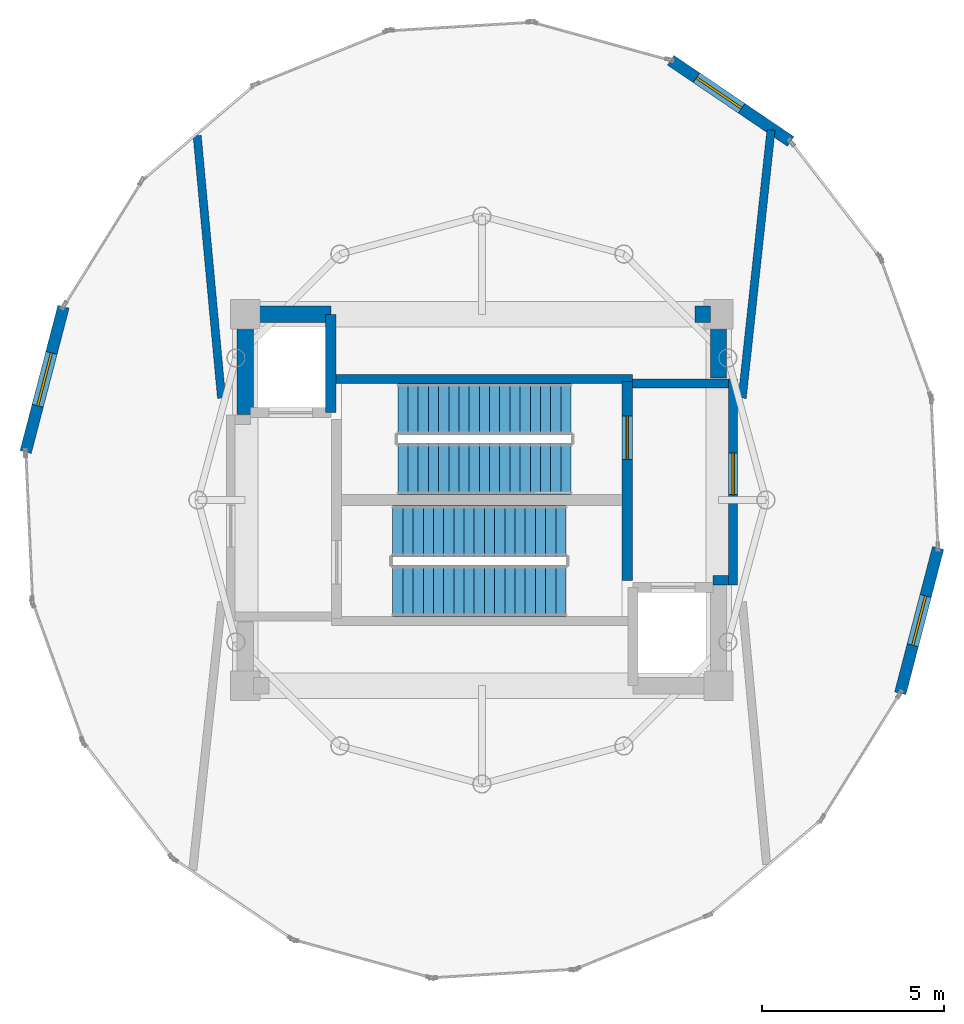
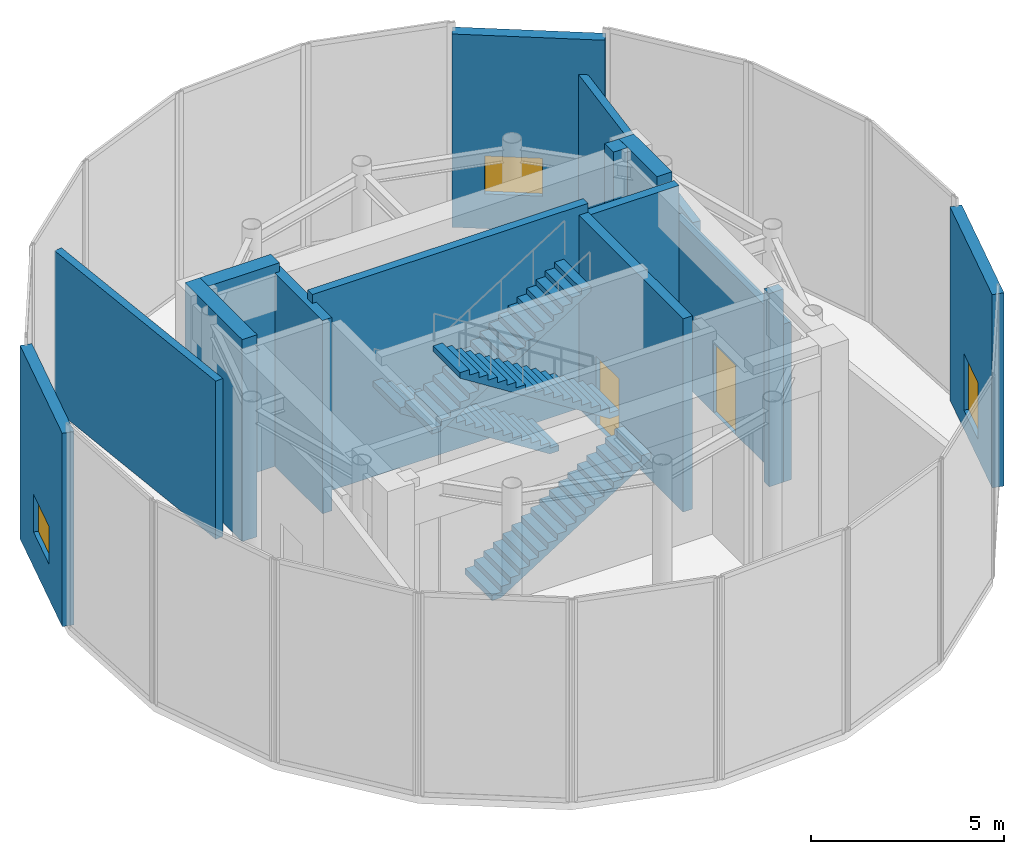
# One storey, part 9 of 10: 15 walls, 4 stair flights, 3 windows, 2 doors, 5 openings, 2 elements without a shape of their own.
"""IFC4 building model written with IfcOpenShell, lengths in metres."""

from ifc_helpers import new_model, si_unit, direction, frame, frame_2d, origin, place, context, subcontext, project, spatial, polyline, rectangle, outline, extrude, material, layer, layer_set, type_object, element, fill, aggregate, save


model = new_model("IFC4")

# Units and contexts
model_context = context("Model", 3, precision=1e-05, world=origin(), true_north=direction((0.0, 1.0)))
body_context = subcontext(model_context, "Body", "Model", "MODEL_VIEW")
ifc_project = project(units=[si_unit("LENGTHUNIT", "METRE"), si_unit("AREAUNIT", "SQUARE_METRE"), si_unit("VOLUMEUNIT", "CUBIC_METRE"), si_unit("PLANEANGLEUNIT", "RADIAN"), si_unit("MASSUNIT", "GRAM", prefix="KILO")], contexts=[model_context])

# Site, building, storey
site_placement = place(None, origin())
site = spatial("IfcSite", under=ifc_project, at=site_placement, CompositionType="ELEMENT")
building_placement = place(site_placement, origin())
building = spatial("IfcBuilding", under=site, at=building_placement, Name="Solvirekh Grand Hotel", CompositionType="ELEMENT")
storey_placement = place(building_placement, frame((0.0, 0.0, 308.199951171875)))
storey = spatial("IfcBuildingStorey", under=building, at=storey_placement, Name="L79", CompositionType="ELEMENT", Elevation=308.199951171875)

# Walls
ifc_material_1 = material(Name="Concrete C50/60", Category="concrete")
ifc_layer_1 = layer(ifc_material_1, 0.35009765625)
ifc_layer_set_1 = layer_set([ifc_layer_1], Name="Concrete C50/60")
wall_type_1 = type_object("IfcWallType", Name="CoreDivWall_RC350", PredefinedType="SOLIDWALL", material=ifc_layer_set_1)
wall_1_placement = place(storey_placement, frame((-4.1298828125, 3.324951171875, 0.0), z_axis=(0.0, 0.0, 1.0), x_axis=(1.0, 0.0, 0.0)))
element("IfcWall", 1, at=wall_1_placement, inside=storey, type_object=wall_type_1, Name="L79 core stair box wall ST-N", PredefinedType="SOLIDWALL", context=body_context, shape_type="SweptSolid", body=[
    extrude(rectangle(XDim=8.259765625, YDim=0.25, at=frame_2d((4.1298828125, 0.0))), origin(), (0.0, 0.0, 1.0), 6.400146484375),
])
ifc_material_2 = material(Name="Concrete C40/50", Category="concrete")
ifc_layer_2 = layer(ifc_material_2, 0.280029296875)
ifc_layer_set_2 = layer_set([ifc_layer_2], Name="Concrete C40/50")
wall_type_2 = type_object("IfcWallType", Name="CoreShaftWall_RC280", PredefinedType="SOLIDWALL", material=ifc_layer_set_2)
wall_2_placement = place(storey_placement, frame((-4.14990234375, 2.39990234375, 0.0), z_axis=(0.0, 0.0, 1.0), x_axis=(0.0, 1.0, 0.0)))
element("IfcWall", 2, at=wall_2_placement, inside=storey, type_object=wall_type_2, Name="L79 FL-1 hoistway E wall", PredefinedType="SOLIDWALL", context=body_context, shape_type="SweptSolid", body=[
    extrude(rectangle(XDim=2.7001953125, YDim=0.280029296875, at=frame_2d((1.35009765625, 0.0))), origin(), (0.0, 0.0, 1.0), 6.1201171875),
])

# Wall, opening, door
wall_3_placement = place(storey_placement, frame((3.989990234375, -2.2099609375, 0.0), z_axis=(0.0, 0.0, 1.0), x_axis=(0.0, 1.0, 0.0)))
wall_3 = element("IfcWall", 3, at=wall_3_placement, inside=storey, type_object=wall_type_2, Name="L79 east stair landing enclosure wall", PredefinedType="SOLIDWALL", context=body_context, shape_type="SweptSolid", body=[
    extrude(rectangle(XDim=5.4599609375, YDim=0.280029296875, at=frame_2d((2.72998046875, 0.0))), origin(), (0.0, 0.0, 1.0), 6.1201171875),
])
opening_1_placement = place(wall_3_placement, frame((3.322998046875, 0.0, 0.0)))
opening_1 = element("IfcOpeningElement", 4, at=opening_1_placement, cuts=wall_3, Name="Opening D05", PredefinedType="OPENING", context=body_context, shape_type="SweptSolid", body=[
    extrude(rectangle(XDim=1.199951171875, YDim=2.199951171875, at=frame_2d((0.60009765625, 1.10009765625))), frame((0.0, 0.14990234375, 0.0), z_axis=(0.0, -1.0, 0.0), x_axis=(1.0, 0.0, 0.0)), (0.0, 0.0, 1.0), 0.300048828125),
])
ifc_material_3 = material(Name="Fire-Rated Steel Door Assembly", Category="steel")
door_type_1 = type_object("IfcDoorType", Name="Door_StairCore_1200X2200", OperationType="NOTDEFINED", PredefinedType="DOOR", material=ifc_material_3)
door_1_placement = place(opening_1_placement, origin())
door_1 = element("IfcDoor", 5, at=door_1_placement, inside=storey, type_object=door_type_1, Name="L79 exit stair ST-2 fire door", OperationType="SINGLE_SWING_LEFT", OverallHeight=2.199951171875, OverallWidth=1.199951171875, PredefinedType="DOOR", context=body_context, shape_type="SweptSolid", body=[
    extrude(rectangle(XDim=1.199951171875, YDim=2.199951171875, at=frame_2d((0.60009765625, 1.10009765625))), frame((0.0, 0.02490234375, 0.0), z_axis=(0.0, -1.0, 0.0), x_axis=(1.0, 0.0, 0.0)), (0.0, 0.0, 1.0), 0.050048828125),
])
fill(opening_1, door_1)

# Walls
ifc_layer_3 = layer(ifc_material_1, 0.449951171875)
ifc_layer_set_3 = layer_set([ifc_layer_3], Name="Concrete C50/60")
wall_type_3 = type_object("IfcWallType", Name="CoreWall_RC450", PredefinedType="SHEAR", material=ifc_layer_set_3)
wall_4_placement = place(storey_placement, frame((-6.27490234375, 5.10009765625, 0.0), z_axis=(0.0, 0.0, 1.0), x_axis=(1.0, 0.0, 0.0)))
element("IfcWall", 6, at=wall_4_placement, inside=storey, type_object=wall_type_3, Name="L79 core corner shear wall NW-N", PredefinedType="SHEAR", context=body_context, shape_type="SweptSolid", body=[
    extrude(rectangle(XDim=2.125, YDim=0.449951171875, at=frame_2d((1.0625, 0.0))), origin(), (0.0, 0.0, 1.0), 6.400146484375),
])
wall_5_placement = place(storey_placement, frame((5.85009765625, 5.10009765625, 0.0), z_axis=(0.0, 0.0, 1.0), x_axis=(1.0, 0.0, 0.0)))
element("IfcWall", 7, at=wall_5_placement, inside=storey, type_object=wall_type_3, Name="L79 core corner shear wall NE-N", PredefinedType="SHEAR", context=body_context, shape_type="SweptSolid", body=[
    extrude(rectangle(XDim=0.4248046875, YDim=0.449951171875, at=frame_2d((0.21240234375, 0.0))), origin(), (0.0, 0.0, 1.0), 6.400146484375),
])
wall_6_placement = place(storey_placement, frame((-6.5, 2.35009765625, 0.0), z_axis=(0.0, 0.0, 1.0), x_axis=(0.0, 1.0, 0.0)))
element("IfcWall", 8, at=wall_6_placement, inside=storey, type_object=wall_type_3, Name="L79 core corner shear wall WN-W", PredefinedType="SHEAR", context=body_context, shape_type="SweptSolid", body=[
    extrude(rectangle(XDim=2.974853515625, YDim=0.449951171875, at=frame_2d((1.4873046875, 0.0))), origin(), (0.0, 0.0, 1.0), 6.400146484375),
])
wall_7_placement = place(storey_placement, frame((6.5, 3.35009765625, 0.0), z_axis=(0.0, 0.0, 1.0), x_axis=(0.0, 1.0, 0.0)))
element("IfcWall", 9, at=wall_7_placement, inside=storey, type_object=wall_type_3, Name="L79 core corner shear wall EN-E", PredefinedType="SHEAR", context=body_context, shape_type="SweptSolid", body=[
    extrude(rectangle(XDim=1.974853515625, YDim=0.449951171875, at=frame_2d((0.9873046875, 0.0))), origin(), (0.0, 0.0, 1.0), 6.400146484375),
])

# Wall, opening, window
ifc_material_4 = material(Name="Precast concrete C45/55", Category="concrete")
ifc_layer_4 = layer(ifc_material_4, 0.320068359375)
ifc_layer_set_4 = layer_set([ifc_layer_4], Name="Precast concrete C45/55")
wall_type_4 = type_object("IfcWallType", Name="ExtLobbyWall_RC320", PredefinedType="SOLIDWALL", material=ifc_layer_set_4)
wall_8_placement = place(storey_placement, frame((12.531005859375, -1.31689453125, 0.0), z_axis=(0.0, 0.0, 1.0), x_axis=(-0.252103886341, -0.967700175928, 0.0)))
wall_8 = element("IfcWall", 10, at=wall_8_placement, inside=storey, type_object=wall_type_4, Name="L79 exterior structural wall chord 5", PredefinedType="SOLIDWALL", context=body_context, shape_type="SweptSolid", body=[
    extrude(rectangle(XDim=4.12548828125, YDim=0.320068359375, at=frame_2d((2.062744140625, 0.0))), origin(), (0.0, 0.0, 1.0), 6.1201171875),
])
opening_2_placement = place(wall_8_placement, frame((1.363037109375, 0.0, 0.60009765625)))
opening_2 = element("IfcOpeningElement", 11, at=opening_2_placement, cuts=wall_8, Name="Opening SK03", PredefinedType="OPENING", context=body_context, shape_type="SweptSolid", body=[
    extrude(rectangle(XDim=1.39990234375, YDim=1.800048828125, at=frame_2d((0.699951171875, 0.89990234375))), frame((0.0, 0.169921875, 0.0), z_axis=(0.0, -1.0, 0.0), x_axis=(1.0, 0.0, 0.0)), (0.0, 0.0, 1.0), 0.340087890625),
])
ifc_material_5 = material(Name="Champagne Low-Iron Crown Laminated Glass", Category="glass")
window_type_1 = type_object("IfcWindowType", Name="Skylight_Crown_1400X1800", PartitioningType="SINGLE_PANEL", PredefinedType="SKYLIGHT", material=ifc_material_5)
window_1_placement = place(opening_2_placement, origin())
window_1 = element("IfcWindow", 12, at=window_1_placement, inside=storey, type_object=window_type_1, Name="L79 high-level clerestory skylight 5", OverallHeight=1.800048828125, OverallWidth=1.39990234375, PartitioningType="SINGLE_PANEL", PredefinedType="SKYLIGHT", context=body_context, shape_type="SweptSolid", body=[
    extrude(rectangle(XDim=1.39990234375, YDim=1.800048828125, at=frame_2d((0.699951171875, 0.89990234375))), frame((0.0, 0.030029296875, 0.0), z_axis=(0.0, -1.0, 0.0), x_axis=(1.0, 0.0, 0.0)), (0.0, 0.0, 1.0), 0.06005859375),
])
fill(opening_2, window_1)

wall_9_placement = place(storey_placement, frame((5.18505859375, 12.077880859375, 0.0), z_axis=(0.0, 0.0, 1.0), x_axis=(0.828085822651, -0.560601347059, 0.0)))
wall_9 = element("IfcWall", 13, at=wall_9_placement, inside=storey, type_object=wall_type_4, Name="L79 exterior structural wall chord 9", PredefinedType="SOLIDWALL", context=body_context, shape_type="SweptSolid", body=[
    extrude(rectangle(XDim=3.981201171875, YDim=0.320068359375, at=frame_2d((1.99072265625, 0.0))), origin(), (0.0, 0.0, 1.0), 6.1201171875),
])
opening_3_placement = place(wall_9_placement, frame((0.85302734375, 0.0, 1.10009765625)))
opening_3 = element("IfcOpeningElement", 14, at=opening_3_placement, cuts=wall_9, Name="Opening W05", PredefinedType="OPENING", context=body_context, shape_type="SweptSolid", body=[
    extrude(rectangle(XDim=1.5, YDim=1.199951171875, at=frame_2d((0.75, 0.60009765625))), frame((0.0, 0.169921875, 0.0), z_axis=(0.0, -1.0, 0.0), x_axis=(1.0, 0.0, 0.0)), (0.0, 0.0, 1.0), 0.340087890625),
])
ifc_material_6 = material(Name="Low-E Tinted Bronze Laminated Glass", Category="aluminium")
window_type_2 = type_object("IfcWindowType", Name="Win_PlantVent_1500X1200", PartitioningType="SINGLE_PANEL", PredefinedType="WINDOW", material=ifc_material_6)
window_2_placement = place(opening_3_placement, origin())
window_2 = element("IfcWindow", 15, at=window_2_placement, inside=storey, type_object=window_type_2, Name="L79 mechanical louvre window 9", OverallHeight=1.199951171875, OverallWidth=1.5, PartitioningType="SINGLE_PANEL", PredefinedType="WINDOW", context=body_context, shape_type="SweptSolid", body=[
    extrude(rectangle(XDim=1.5, YDim=1.199951171875, at=frame_2d((0.75, 0.60009765625))), frame((0.0, 0.030029296875, 0.0), z_axis=(0.0, -1.0, 0.0), x_axis=(1.0, 0.0, 0.0)), (0.0, 0.0, 1.0), 0.06005859375),
])
fill(opening_3, window_2)

wall_10_placement = place(storey_placement, frame((-12.531005859375, 1.31689453125, 0.0), z_axis=(0.0, 0.0, 1.0), x_axis=(0.252103886341, 0.967700175928, 0.0)))
wall_10 = element("IfcWall", 16, at=wall_10_placement, inside=storey, type_object=wall_type_4, Name="L79 exterior structural wall chord 15", PredefinedType="SOLIDWALL", context=body_context, shape_type="SweptSolid", body=[
    extrude(rectangle(XDim=4.12548828125, YDim=0.320068359375, at=frame_2d((2.062744140625, 0.0))), origin(), (0.0, 0.0, 1.0), 6.1201171875),
])
opening_4_placement = place(wall_10_placement, frame((1.31298828125, 0.0, 1.10009765625)))
opening_4 = element("IfcOpeningElement", 17, at=opening_4_placement, cuts=wall_10, Name="Opening W05", PredefinedType="OPENING", context=body_context, shape_type="SweptSolid", body=[
    extrude(rectangle(XDim=1.5, YDim=1.199951171875, at=frame_2d((0.75, 0.60009765625))), frame((0.0, 0.169921875, 0.0), z_axis=(0.0, -1.0, 0.0), x_axis=(1.0, 0.0, 0.0)), (0.0, 0.0, 1.0), 0.340087890625),
])
window_3_placement = place(opening_4_placement, origin())
window_3 = element("IfcWindow", 18, at=window_3_placement, inside=storey, type_object=window_type_2, Name="L79 mechanical louvre window 15", OverallHeight=1.199951171875, OverallWidth=1.5, PartitioningType="SINGLE_PANEL", PredefinedType="WINDOW", context=body_context, shape_type="SweptSolid", body=[
    extrude(rectangle(XDim=1.5, YDim=1.199951171875, at=frame_2d((0.75, 0.60009765625))), frame((0.0, 0.030029296875, 0.0), z_axis=(0.0, -1.0, 0.0), x_axis=(1.0, 0.0, 0.0)), (0.0, 0.0, 1.0), 0.06005859375),
])
fill(opening_4, window_3)

# Wall, opening, door
ifc_material_7 = material(Name="Acoustic Gypsum Partition Assembly")
ifc_layer_5 = layer(ifc_material_7, 0.239990234375)
ifc_layer_set_5 = layer_set([ifc_layer_5], Name="Acoustic Gypsum Partition Assembly")
wall_type_5 = type_object("IfcWallType", Name="Part_Corridor_240", PredefinedType="PARTITIONING", material=ifc_layer_set_5)
wall_11_placement = place(storey_placement, frame((6.89990234375, -2.340087890625, 0.0), z_axis=(0.0, 0.0, 1.0), x_axis=(0.0, 1.0, 0.0)))
wall_11 = element("IfcWall", 19, at=wall_11_placement, inside=storey, type_object=wall_type_5, Name="L79 east firefighting lobby smoke screen wall", PredefinedType="PARTITIONING", context=body_context, shape_type="SweptSolid", body=[
    extrude(rectangle(XDim=5.670166015625, YDim=0.239990234375, at=frame_2d((2.8349609375, 0.0))), origin(), (0.0, 0.0, 1.0), 5.005126953125),
])
opening_5_placement = place(wall_11_placement, frame((2.486083984375, 0.0, 0.0)))
opening_5 = element("IfcOpeningElement", 20, at=opening_5_placement, cuts=wall_11, Name="Opening D06", PredefinedType="OPENING", context=body_context, shape_type="SweptSolid", body=[
    extrude(rectangle(XDim=1.14990234375, YDim=2.199951171875, at=frame_2d((0.574951171875, 1.10009765625))), frame((0.0, 0.1298828125, 0.0), z_axis=(0.0, -1.0, 0.0), x_axis=(1.0, 0.0, 0.0)), (0.0, 0.0, 1.0), 0.260009765625),
])
door_type_2 = type_object("IfcDoorType", Name="Door_FFLobby_1150X2200", OperationType="NOTDEFINED", PredefinedType="DOOR", material=ifc_material_3)
door_2_placement = place(opening_5_placement, origin())
door_2 = element("IfcDoor", 21, at=door_2_placement, inside=storey, type_object=door_type_2, Name="L79 east firefighting lobby smoke door", OperationType="SINGLE_SWING_LEFT", OverallHeight=2.199951171875, OverallWidth=1.14990234375, PredefinedType="DOOR", context=body_context, shape_type="SweptSolid", body=[
    extrude(rectangle(XDim=1.14990234375, YDim=2.199951171875, at=frame_2d((0.574951171875, 1.10009765625))), frame((0.0, 0.02490234375, 0.0), z_axis=(0.0, -1.0, 0.0), x_axis=(1.0, 0.0, 0.0)), (0.0, 0.0, 1.0), 0.050048828125),
])
fill(opening_5, door_2)

# Walls
ifc_layer_6 = layer(ifc_material_7, 0.260009765625)
ifc_layer_set_6 = layer_set([ifc_layer_6], Name="Acoustic Gypsum Partition Assembly")
wall_type_6 = type_object("IfcWallType", Name="Part_LobbyFF_260", PredefinedType="PARTITIONING", material=ifc_layer_set_6)
wall_12_placement = place(storey_placement, frame((6.35009765625, -2.2099609375, 0.0), z_axis=(0.0, 0.0, 1.0), x_axis=(1.0, 0.0, 0.0)))
element("IfcWall", 22, at=wall_12_placement, inside=storey, type_object=wall_type_6, Name="L79 east firefighting lobby SE cheek", PredefinedType="PARTITIONING", context=body_context, shape_type="SweptSolid", body=[
    extrude(rectangle(XDim=0.4248046875, YDim=0.260009765625, at=frame_2d((0.21240234375, 0.0))), origin(), (0.0, 0.0, 1.0), 6.1201171875),
])
wall_13_placement = place(storey_placement, frame((4.1298828125, 3.199951171875, 0.0), z_axis=(0.0, 0.0, 1.0), x_axis=(1.0, 0.0, 0.0)))
element("IfcWall", 23, at=wall_13_placement, inside=storey, type_object=wall_type_6, Name="L79 east firefighting lobby north partition", PredefinedType="PARTITIONING", context=body_context, shape_type="SweptSolid", body=[
    extrude(rectangle(XDim=2.64501953125, YDim=0.260009765625, at=frame_2d((1.322509765625, 0.0))), origin(), (0.0, 0.0, 1.0), 6.1201171875),
])
ifc_layer_7 = layer(ifc_material_4, 0.22509765625)
ifc_layer_set_7 = layer_set([ifc_layer_7], Name="Precast concrete C45/55")
wall_type_7 = type_object("IfcWallType", Name="Part_Plant_225", PredefinedType="PARTITIONING", material=ifc_layer_set_7)
wall_14_placement = place(storey_placement, frame((-7.14990234375, 2.800048828125, 0.0), z_axis=(0.0, 0.0, 1.0), x_axis=(-0.092563503102, 0.995706783091, 0.0)))
element("IfcWall", 24, at=wall_14_placement, inside=storey, type_object=wall_type_7, Name="L79 west crown plant north wall", PredefinedType="PARTITIONING", context=body_context, shape_type="SweptSolid", body=[
    extrude(rectangle(XDim=7.239990234375, YDim=0.22509765625, at=frame_2d((3.6201171875, 0.0))), origin(), (0.0, 0.0, 1.0), 5.005126953125),
])
wall_15_placement = place(storey_placement, frame((7.14990234375, 2.800048828125, 0.0), z_axis=(0.0, 0.0, 1.0), x_axis=(0.106801982795, 0.994280310813, 0.0)))
element("IfcWall", 25, at=wall_15_placement, inside=storey, type_object=wall_type_7, Name="L79 east crown plant north wall", PredefinedType="PARTITIONING", context=body_context, shape_type="SweptSolid", body=[
    extrude(rectangle(XDim=7.406494140625, YDim=0.22509765625, at=frame_2d((3.703125, 0.0))), origin(), (0.0, 0.0, 1.0), 5.005126953125),
])

# Stair, stair flights
stair_type = type_object("IfcStairType", Name="Stair_Core_1450", PredefinedType="HALF_TURN_STAIR", material=ifc_material_2)
stair_1_placement = place(storey_placement, origin())
stair_1 = element("IfcStair", 26, at=stair_1_placement, inside=storey, type_object=stair_type, Name="L79 Enclosed exit stair ST-1", PredefinedType="HALF_TURN_STAIR")
stair_flight_type = type_object("IfcStairFlightType", Name="Flight_Core_1450", PredefinedType="STRAIGHT", material=ifc_material_2)
stair_flight_1_placement = place(storey_placement, frame((-2.449951171875, -2.5, 0.0), z_axis=(0.0, 0.0, 1.0), x_axis=(1.0, 0.0, 0.0)))
stair_flight_1 = element("IfcStairFlight", 27, at=stair_flight_1_placement, type_object=stair_flight_type, Name="ST-1 flight 1", NumberOfRisers=18, NumberOfTreads=17, PredefinedType="STRAIGHT", RiserHeight=0.177777778, TreadLength=0.28, context=body_context, shape_type="SweptSolid", body=[
    extrude(outline(polyline([(0.0, 0.0), (0.0, 0.177734375), (0.280029296875, 0.177734375), (0.280029296875, 0.35546875), (0.56005859375, 0.35546875), (0.56005859375, 0.533447265625), (0.840087890625, 0.533447265625), (0.840087890625, 0.711181640625), (1.1201171875, 0.711181640625), (1.1201171875, 0.888916015625), (1.39990234375, 0.888916015625), (1.39990234375, 1.066650390625), (1.679931640625, 1.066650390625), (1.679931640625, 1.244384765625), (1.9599609375, 1.244384765625), (1.9599609375, 1.422119140625), (2.239990234375, 1.422119140625), (2.239990234375, 1.60009765625), (2.52001953125, 1.60009765625), (2.52001953125, 1.77783203125), (2.800048828125, 1.77783203125), (2.800048828125, 1.95556640625), (3.080078125, 1.95556640625), (3.080078125, 2.13330078125), (3.360107421875, 2.13330078125), (3.360107421875, 2.31103515625), (3.639892578125, 2.31103515625), (3.639892578125, 2.48876953125), (3.919921875, 2.48876953125), (3.919921875, 2.666748046875), (4.199951171875, 2.666748046875), (4.199951171875, 2.844482421875), (4.47998046875, 2.844482421875), (4.47998046875, 3.022216796875), (4.760009765625, 3.022216796875), (4.760009765625, 3.199951171875), (4.760009765625, 2.8447265625), (0.27978515625, 0.0), (0.0, 0.0)])), frame((0.0, 0.699951171875, 0.0), z_axis=(0.0, -1.0, 0.0), x_axis=(1.0, 0.0, 0.0)), (0.0, 0.0, 1.0), 1.39990234375),
])
stair_flight_2_placement = place(storey_placement, frame((2.31005859375, -0.85009765625, 3.199951171875), z_axis=(0.0, 0.0, 1.0), x_axis=(-1.0, 0.0, 0.0)))
stair_flight_2 = element("IfcStairFlight", 28, at=stair_flight_2_placement, type_object=stair_flight_type, Name="ST-1 flight 2", NumberOfRisers=18, NumberOfTreads=17, PredefinedType="STRAIGHT", RiserHeight=0.177777778, TreadLength=0.28, context=body_context, shape_type="SweptSolid", body=[
    extrude(outline(polyline([(0.0, 0.0), (0.0, 0.177734375), (0.280029296875, 0.177734375), (0.280029296875, 0.35546875), (0.56005859375, 0.35546875), (0.56005859375, 0.533447265625), (0.840087890625, 0.533447265625), (0.840087890625, 0.711181640625), (1.1201171875, 0.711181640625), (1.1201171875, 0.888916015625), (1.39990234375, 0.888916015625), (1.39990234375, 1.066650390625), (1.679931640625, 1.066650390625), (1.679931640625, 1.244384765625), (1.9599609375, 1.244384765625), (1.9599609375, 1.422119140625), (2.239990234375, 1.422119140625), (2.239990234375, 1.60009765625), (2.52001953125, 1.60009765625), (2.52001953125, 1.77783203125), (2.800048828125, 1.77783203125), (2.800048828125, 1.95556640625), (3.080078125, 1.95556640625), (3.080078125, 2.13330078125), (3.360107421875, 2.13330078125), (3.360107421875, 2.31103515625), (3.639892578125, 2.31103515625), (3.639892578125, 2.48876953125), (3.919921875, 2.48876953125), (3.919921875, 2.666748046875), (4.199951171875, 2.666748046875), (4.199951171875, 2.844482421875), (4.47998046875, 2.844482421875), (4.47998046875, 3.022216796875), (4.760009765625, 3.022216796875), (4.760009765625, 3.199951171875), (4.760009765625, 2.8447265625), (0.27978515625, 0.0), (0.0, 0.0)])), frame((0.0, 0.699951171875, 0.0), z_axis=(0.0, -1.0, 0.0), x_axis=(1.0, 0.0, 0.0)), (0.0, 0.0, 1.0), 1.39990234375),
])
aggregate(stair_1, [stair_flight_1, stair_flight_2])

stair_2_placement = place(storey_placement, origin())
stair_2 = element("IfcStair", 29, at=stair_2_placement, inside=storey, type_object=stair_type, Name="L79 Enclosed exit stair ST-2", PredefinedType="HALF_TURN_STAIR")
stair_flight_3_placement = place(storey_placement, frame((2.449951171875, 2.5, 0.0), z_axis=(0.0, 0.0, 1.0), x_axis=(-1.0, 0.0, 0.0)))
stair_flight_3 = element("IfcStairFlight", 30, at=stair_flight_3_placement, type_object=stair_flight_type, Name="ST-2 flight 1", NumberOfRisers=18, NumberOfTreads=17, PredefinedType="STRAIGHT", RiserHeight=0.177777778, TreadLength=0.28, context=body_context, shape_type="SweptSolid", body=[
    extrude(outline(polyline([(0.0, 0.0), (0.0, 0.177734375), (0.280029296875, 0.177734375), (0.280029296875, 0.35546875), (0.56005859375, 0.35546875), (0.56005859375, 0.533447265625), (0.840087890625, 0.533447265625), (0.840087890625, 0.711181640625), (1.1201171875, 0.711181640625), (1.1201171875, 0.888916015625), (1.39990234375, 0.888916015625), (1.39990234375, 1.066650390625), (1.679931640625, 1.066650390625), (1.679931640625, 1.244384765625), (1.9599609375, 1.244384765625), (1.9599609375, 1.422119140625), (2.239990234375, 1.422119140625), (2.239990234375, 1.60009765625), (2.52001953125, 1.60009765625), (2.52001953125, 1.77783203125), (2.800048828125, 1.77783203125), (2.800048828125, 1.95556640625), (3.080078125, 1.95556640625), (3.080078125, 2.13330078125), (3.360107421875, 2.13330078125), (3.360107421875, 2.31103515625), (3.639892578125, 2.31103515625), (3.639892578125, 2.48876953125), (3.919921875, 2.48876953125), (3.919921875, 2.666748046875), (4.199951171875, 2.666748046875), (4.199951171875, 2.844482421875), (4.47998046875, 2.844482421875), (4.47998046875, 3.022216796875), (4.760009765625, 3.022216796875), (4.760009765625, 3.199951171875), (4.760009765625, 2.8447265625), (0.27978515625, 0.0), (0.0, 0.0)])), frame((0.0, 0.699951171875, 0.0), z_axis=(0.0, -1.0, 0.0), x_axis=(1.0, 0.0, 0.0)), (0.0, 0.0, 1.0), 1.39990234375),
])
stair_flight_4_placement = place(storey_placement, frame((-2.31005859375, 0.85009765625, 3.199951171875), z_axis=(0.0, 0.0, 1.0), x_axis=(1.0, 0.0, 0.0)))
stair_flight_4 = element("IfcStairFlight", 31, at=stair_flight_4_placement, type_object=stair_flight_type, Name="ST-2 flight 2", NumberOfRisers=18, NumberOfTreads=17, PredefinedType="STRAIGHT", RiserHeight=0.177777778, TreadLength=0.28, context=body_context, shape_type="SweptSolid", body=[
    extrude(outline(polyline([(0.0, 0.0), (0.0, 0.177734375), (0.280029296875, 0.177734375), (0.280029296875, 0.35546875), (0.56005859375, 0.35546875), (0.56005859375, 0.533447265625), (0.840087890625, 0.533447265625), (0.840087890625, 0.711181640625), (1.1201171875, 0.711181640625), (1.1201171875, 0.888916015625), (1.39990234375, 0.888916015625), (1.39990234375, 1.066650390625), (1.679931640625, 1.066650390625), (1.679931640625, 1.244384765625), (1.9599609375, 1.244384765625), (1.9599609375, 1.422119140625), (2.239990234375, 1.422119140625), (2.239990234375, 1.60009765625), (2.52001953125, 1.60009765625), (2.52001953125, 1.77783203125), (2.800048828125, 1.77783203125), (2.800048828125, 1.95556640625), (3.080078125, 1.95556640625), (3.080078125, 2.13330078125), (3.360107421875, 2.13330078125), (3.360107421875, 2.31103515625), (3.639892578125, 2.31103515625), (3.639892578125, 2.48876953125), (3.919921875, 2.48876953125), (3.919921875, 2.666748046875), (4.199951171875, 2.666748046875), (4.199951171875, 2.844482421875), (4.47998046875, 2.844482421875), (4.47998046875, 3.022216796875), (4.760009765625, 3.022216796875), (4.760009765625, 3.199951171875), (4.760009765625, 2.8447265625), (0.27978515625, 0.0), (0.0, 0.0)])), frame((0.0, 0.699951171875, 0.0), z_axis=(0.0, -1.0, 0.0), x_axis=(1.0, 0.0, 0.0)), (0.0, 0.0, 1.0), 1.39990234375),
])
aggregate(stair_2, [stair_flight_3, stair_flight_4])

save(model, "model.ifc")
